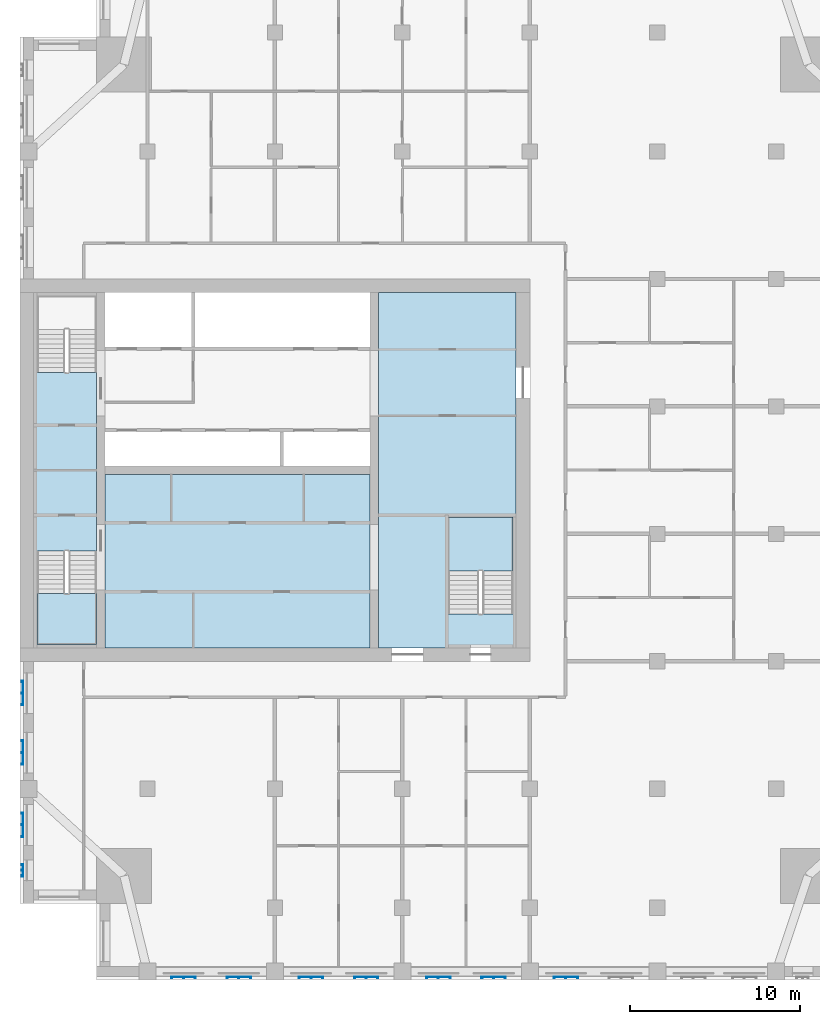
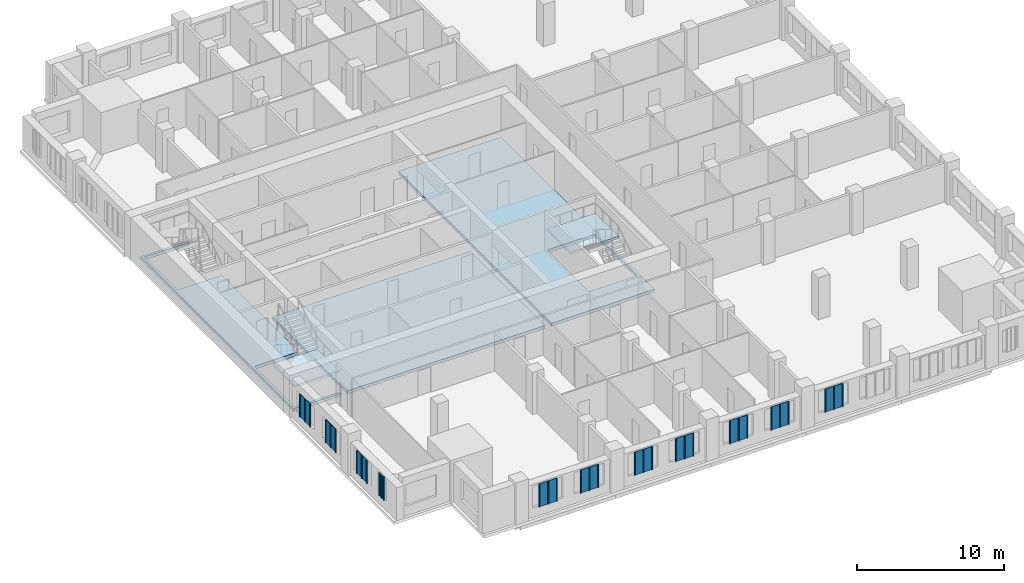
# One storey, part 2 of 14: 11 plates, 5 slabs, 2 elements without a shape of their own.
"""IFC4 building model written with IfcOpenShell, lengths in metres."""

from ifc_helpers import new_model, si_unit, direction, frame, origin, place, context, subcontext, project, spatial, polyline, outline, extrude, material, layer, layer_set, type_object, element, aggregate, save


model = new_model("IFC4")

# Units and contexts
model_context = context("Model", 3, precision=1e-05, world=origin(), true_north=direction((0.0, 1.0)))
body_context = subcontext(model_context, "Body", "Model", "MODEL_VIEW")
ifc_project = project(units=[si_unit("LENGTHUNIT", "METRE"), si_unit("AREAUNIT", "SQUARE_METRE"), si_unit("VOLUMEUNIT", "CUBIC_METRE"), si_unit("PLANEANGLEUNIT", "RADIAN"), si_unit("MASSUNIT", "GRAM", prefix="KILO")], contexts=[model_context])

# Site, building, storey
site_placement = place(None, origin())
site = spatial("IfcSite", under=ifc_project, at=site_placement, CompositionType="ELEMENT")
building_placement = place(site_placement, origin())
building = spatial("IfcBuilding", under=site, at=building_placement, Name="Tamorin Gate", CompositionType="ELEMENT")
storey_placement = place(building_placement, frame((0.0, 0.0, 189.699951171875)))
storey = spatial("IfcBuildingStorey", under=building, at=storey_placement, Name="L46", CompositionType="ELEMENT", Elevation=189.699951171875)

# Slabs
ifc_material_1 = material(Name="Concrete C40/50", Category="concrete")
ifc_layer_1 = layer(ifc_material_1, 0.25)
ifc_layer_set_1 = layer_set([ifc_layer_1], Name="Core floor slab 250 C40/50")
slab_type_1 = type_object("IfcSlabType", Name="Core floor slab 250 C40/50", PredefinedType="FLOOR", material=ifc_layer_set_1)
slab_1_placement = place(storey_placement, frame((0.0, 0.0, -0.25)))
element("IfcSlab", 1, at=slab_1_placement, inside=storey, type_object=slab_type_1, Name="Core floor L46", PredefinedType="FLOOR", context=body_context, shape_type="SweptSolid", body=[
    extrude(outline(polyline([(51.10009765625, 81.699951171875), (59.199951171875, 81.699951171875), (59.199951171875, 60.800048828125), (51.10009765625, 60.800048828125), (51.10009765625, 81.699951171875)]), holes=[polyline([(55.199951171875, 62.800048828125), (59.0, 62.800048828125), (59.0, 68.5), (55.199951171875, 68.5), (55.199951171875, 62.800048828125)])]), origin(), (0.0, 0.0, 1.0), 0.25),
])
slab_2_placement = place(storey_placement, frame((0.0, 0.0, -0.25)))
element("IfcSlab", 2, at=slab_2_placement, inside=storey, type_object=slab_type_1, Name="Core floor L46", PredefinedType="FLOOR", context=body_context, shape_type="SweptSolid", body=[
    extrude(outline(polyline([(50.60009765625, 71.0), (50.60009765625, 60.800048828125), (35.0, 60.800048828125), (35.0, 71.0), (50.60009765625, 71.0)])), origin(), (0.0, 0.0, 1.0), 0.25),
])
slab_3_placement = place(storey_placement, frame((0.0, 0.0, -0.25)))
element("IfcSlab", 3, at=slab_3_placement, inside=storey, type_object=slab_type_1, Name="Core floor L46", PredefinedType="FLOOR", context=body_context, shape_type="SweptSolid", body=[
    extrude(outline(polyline([(34.5, 60.800048828125), (30.800048828125, 60.800048828125), (30.800048828125, 81.699951171875), (34.5, 81.699951171875), (34.5, 81.5), (31.0, 81.5), (31.0, 77.0), (34.5, 77.0), (34.5, 66.5), (31.0, 66.5), (31.0, 61.0), (34.5, 61.0), (34.5, 60.800048828125)])), origin(), (0.0, 0.0, 1.0), 0.25),
])

# Stair, slab
stair_type = type_object("IfcStairType", Name="Exit stair", PredefinedType="HALF_TURN_STAIR", material=ifc_material_1)
stair_1_placement = place(storey_placement, origin())
stair_1 = element("IfcStair", 4, at=stair_1_placement, inside=storey, type_object=stair_type, Name="L46 stair ST1", PredefinedType="HALF_TURN_STAIR")
ifc_layer_2 = layer(ifc_material_1, 0.199951171875)
ifc_layer_set_2 = layer_set([ifc_layer_2], Name="Exit stair landing 200")
slab_type_2 = type_object("IfcSlabType", Name="Exit stair landing 200", PredefinedType="LANDING", material=ifc_layer_set_2)
slab_4_placement = place(storey_placement, frame((0.0, 0.0, 1.550048828125)))
slab_4 = element("IfcSlab", 5, at=slab_4_placement, type_object=slab_type_2, Name="ST1 landing 1", PredefinedType="LANDING", context=body_context, shape_type="SweptSolid", body=[
    extrude(outline(polyline([(31.0, 63.97998046875), (31.0, 61.0), (34.5, 61.0), (34.5, 63.97998046875), (31.0, 63.97998046875)])), origin(), (0.0, 0.0, 1.0), 0.199951171875),
])
aggregate(stair_1, [slab_4])

stair_2_placement = place(storey_placement, origin())
stair_2 = element("IfcStair", 6, at=stair_2_placement, inside=storey, type_object=stair_type, Name="L46 stair ST3", PredefinedType="HALF_TURN_STAIR")
slab_5_placement = place(storey_placement, frame((0.0, 0.0, 1.550048828125)))
slab_5 = element("IfcSlab", 7, at=slab_5_placement, type_object=slab_type_2, Name="ST3 landing 1", PredefinedType="LANDING", context=body_context, shape_type="SweptSolid", body=[
    extrude(outline(polyline([(59.0, 65.320068359375), (59.0, 68.5), (55.199951171875, 68.5), (55.199951171875, 65.320068359375), (59.0, 65.320068359375)])), origin(), (0.0, 0.0, 1.0), 0.199951171875),
])
aggregate(stair_2, [slab_5])

# Plates
ifc_material_2 = material(Name="Perforated pale aluminium sheet", Category="aluminium")
ifc_layer_3 = layer(ifc_material_2, 0.0400390625)
ifc_layer_set_3 = layer_set([ifc_layer_3], Name="Pale metal solar screen 1440")
plate_type_1 = type_object("IfcPlateType", Name="Pale metal solar screen 1440", PredefinedType="SHEET", material=ifc_layer_set_3)
plate_1_placement = place(storey_placement, frame((0.0, 0.0, 0.737548828125)))
element("IfcPlate", 8, at=plate_1_placement, inside=storey, type_object=plate_type_1, Name="Perforated solar screen", PredefinedType="SHEET", context=body_context, shape_type="SweptSolid", body=[
    extrude(outline(polyline([(38.905029296875, 41.409912109375), (38.905029296875, 41.449951171875), (38.965087890625, 41.449951171875), (39.594970703125, 41.449951171875), (39.655029296875, 41.449951171875), (40.284912109375, 41.449951171875), (40.344970703125, 41.449951171875), (40.344970703125, 41.449951171875), (40.344970703125, 41.409912109375), (40.344970703125, 41.409912109375), (40.344970703125, 41.35009765625), (40.284912109375, 41.35009765625), (40.284912109375, 41.409912109375), (39.655029296875, 41.409912109375), (39.655029296875, 41.35009765625), (39.594970703125, 41.35009765625), (39.594970703125, 41.409912109375), (38.965087890625, 41.409912109375), (38.965087890625, 41.35009765625), (38.905029296875, 41.35009765625), (38.905029296875, 41.409912109375)])), origin(), (0.0, 0.0, 1.0), 1.925048828125),
])
plate_2_placement = place(storey_placement, frame((0.0, 0.0, 0.737548828125)))
element("IfcPlate", 9, at=plate_2_placement, inside=storey, type_object=plate_type_1, Name="Perforated solar screen", PredefinedType="SHEET", context=body_context, shape_type="SweptSolid", body=[
    extrude(outline(polyline([(42.155029296875, 41.409912109375), (42.155029296875, 41.449951171875), (42.215087890625, 41.449951171875), (42.844970703125, 41.449951171875), (42.905029296875, 41.449951171875), (43.534912109375, 41.449951171875), (43.594970703125, 41.449951171875), (43.594970703125, 41.409912109375), (43.594970703125, 41.35009765625), (43.534912109375, 41.35009765625), (43.534912109375, 41.409912109375), (42.905029296875, 41.409912109375), (42.905029296875, 41.35009765625), (42.844970703125, 41.35009765625), (42.844970703125, 41.409912109375), (42.215087890625, 41.409912109375), (42.215087890625, 41.35009765625), (42.155029296875, 41.35009765625), (42.155029296875, 41.409912109375)])), origin(), (0.0, 0.0, 1.0), 1.925048828125),
])
plate_3_placement = place(storey_placement, frame((0.0, 0.0, 0.737548828125)))
element("IfcPlate", 10, at=plate_3_placement, inside=storey, type_object=plate_type_1, Name="Perforated solar screen", PredefinedType="SHEET", context=body_context, shape_type="SweptSolid", body=[
    extrude(outline(polyline([(46.405029296875, 41.409912109375), (46.405029296875, 41.449951171875), (46.465087890625, 41.449951171875), (47.094970703125, 41.449951171875), (47.155029296875, 41.449951171875), (47.784912109375, 41.449951171875), (47.844970703125, 41.449951171875), (47.844970703125, 41.409912109375), (47.844970703125, 41.35009765625), (47.784912109375, 41.35009765625), (47.784912109375, 41.409912109375), (47.155029296875, 41.409912109375), (47.155029296875, 41.35009765625), (47.094970703125, 41.35009765625), (47.094970703125, 41.409912109375), (46.465087890625, 41.409912109375), (46.465087890625, 41.35009765625), (46.405029296875, 41.35009765625), (46.405029296875, 41.409912109375)])), origin(), (0.0, 0.0, 1.0), 1.925048828125),
])
plate_4_placement = place(storey_placement, frame((0.0, 0.0, 0.737548828125)))
element("IfcPlate", 11, at=plate_4_placement, inside=storey, type_object=plate_type_1, Name="Perforated solar screen", PredefinedType="SHEET", context=body_context, shape_type="SweptSolid", body=[
    extrude(outline(polyline([(49.655029296875, 41.409912109375), (49.655029296875, 41.449951171875), (49.715087890625, 41.449951171875), (50.344970703125, 41.449951171875), (50.405029296875, 41.449951171875), (51.034912109375, 41.449951171875), (51.094970703125, 41.449951171875), (51.094970703125, 41.409912109375), (51.094970703125, 41.35009765625), (51.034912109375, 41.35009765625), (51.034912109375, 41.409912109375), (50.405029296875, 41.409912109375), (50.405029296875, 41.35009765625), (50.344970703125, 41.35009765625), (50.344970703125, 41.409912109375), (49.715087890625, 41.409912109375), (49.715087890625, 41.35009765625), (49.655029296875, 41.35009765625), (49.655029296875, 41.409912109375)])), origin(), (0.0, 0.0, 1.0), 1.925048828125),
])
plate_5_placement = place(storey_placement, frame((0.0, 0.0, 0.737548828125)))
element("IfcPlate", 12, at=plate_5_placement, inside=storey, type_object=plate_type_1, Name="Perforated solar screen", PredefinedType="SHEET", context=body_context, shape_type="SweptSolid", body=[
    extrude(outline(polyline([(53.905029296875, 41.409912109375), (53.905029296875, 41.449951171875), (53.965087890625, 41.449951171875), (54.594970703125, 41.449951171875), (54.655029296875, 41.449951171875), (55.284912109375, 41.449951171875), (55.344970703125, 41.449951171875), (55.344970703125, 41.409912109375), (55.344970703125, 41.35009765625), (55.284912109375, 41.35009765625), (55.284912109375, 41.409912109375), (54.655029296875, 41.409912109375), (54.655029296875, 41.35009765625), (54.594970703125, 41.35009765625), (54.594970703125, 41.409912109375), (53.965087890625, 41.409912109375), (53.965087890625, 41.35009765625), (53.905029296875, 41.35009765625), (53.905029296875, 41.409912109375)])), origin(), (0.0, 0.0, 1.0), 1.925048828125),
])
plate_6_placement = place(storey_placement, frame((0.0, 0.0, 0.737548828125)))
element("IfcPlate", 13, at=plate_6_placement, inside=storey, type_object=plate_type_1, Name="Perforated solar screen", PredefinedType="SHEET", context=body_context, shape_type="SweptSolid", body=[
    extrude(outline(polyline([(57.155029296875, 41.409912109375), (57.155029296875, 41.449951171875), (57.215087890625, 41.449951171875), (57.844970703125, 41.449951171875), (57.905029296875, 41.449951171875), (58.534912109375, 41.449951171875), (58.594970703125, 41.449951171875), (58.594970703125, 41.409912109375), (58.594970703125, 41.35009765625), (58.534912109375, 41.35009765625), (58.534912109375, 41.409912109375), (57.905029296875, 41.409912109375), (57.905029296875, 41.35009765625), (57.844970703125, 41.35009765625), (57.844970703125, 41.409912109375), (57.215087890625, 41.409912109375), (57.215087890625, 41.35009765625), (57.155029296875, 41.35009765625), (57.155029296875, 41.409912109375)])), origin(), (0.0, 0.0, 1.0), 1.925048828125),
])
plate_7_placement = place(storey_placement, frame((0.0, 0.0, 0.737548828125)))
element("IfcPlate", 14, at=plate_7_placement, inside=storey, type_object=plate_type_1, Name="Perforated solar screen", PredefinedType="SHEET", context=body_context, shape_type="SweptSolid", body=[
    extrude(outline(polyline([(61.405029296875, 41.409912109375), (61.405029296875, 41.449951171875), (61.465087890625, 41.449951171875), (62.094970703125, 41.449951171875), (62.155029296875, 41.449951171875), (62.784912109375, 41.449951171875), (62.844970703125, 41.449951171875), (62.844970703125, 41.409912109375), (62.844970703125, 41.35009765625), (62.784912109375, 41.35009765625), (62.784912109375, 41.409912109375), (62.155029296875, 41.409912109375), (62.155029296875, 41.35009765625), (62.094970703125, 41.35009765625), (62.094970703125, 41.409912109375), (61.465087890625, 41.409912109375), (61.465087890625, 41.35009765625), (61.405029296875, 41.35009765625), (61.405029296875, 41.409912109375)])), origin(), (0.0, 0.0, 1.0), 1.925048828125),
])
plate_8_placement = place(storey_placement, frame((0.0, 0.0, 0.737548828125)))
element("IfcPlate", 15, at=plate_8_placement, inside=storey, type_object=plate_type_1, Name="Perforated solar screen", PredefinedType="SHEET", context=body_context, shape_type="SweptSolid", body=[
    extrude(outline(polyline([(30.159912109375, 55.344970703125), (30.199951171875, 55.344970703125), (30.199951171875, 55.284912109375), (30.199951171875, 54.655029296875), (30.199951171875, 54.594970703125), (30.199951171875, 53.965087890625), (30.199951171875, 53.905029296875), (30.159912109375, 53.905029296875), (30.10009765625, 53.905029296875), (30.10009765625, 53.965087890625), (30.159912109375, 53.965087890625), (30.159912109375, 54.594970703125), (30.10009765625, 54.594970703125), (30.10009765625, 54.655029296875), (30.159912109375, 54.655029296875), (30.159912109375, 55.284912109375), (30.10009765625, 55.284912109375), (30.10009765625, 55.344970703125), (30.159912109375, 55.344970703125)])), origin(), (0.0, 0.0, 1.0), 1.925048828125),
])
plate_9_placement = place(storey_placement, frame((0.0, 0.0, 0.737548828125)))
element("IfcPlate", 16, at=plate_9_placement, inside=storey, type_object=plate_type_1, Name="Perforated solar screen", PredefinedType="SHEET", context=body_context, shape_type="SweptSolid", body=[
    extrude(outline(polyline([(30.159912109375, 58.844970703125), (30.199951171875, 58.844970703125), (30.199951171875, 58.784912109375), (30.199951171875, 58.155029296875), (30.199951171875, 58.094970703125), (30.199951171875, 57.465087890625), (30.199951171875, 57.405029296875), (30.159912109375, 57.405029296875), (30.10009765625, 57.405029296875), (30.10009765625, 57.465087890625), (30.159912109375, 57.465087890625), (30.159912109375, 58.094970703125), (30.10009765625, 58.094970703125), (30.10009765625, 58.155029296875), (30.159912109375, 58.155029296875), (30.159912109375, 58.784912109375), (30.10009765625, 58.784912109375), (30.10009765625, 58.844970703125), (30.159912109375, 58.844970703125)])), origin(), (0.0, 0.0, 1.0), 1.925048828125),
])
plate_10_placement = place(storey_placement, frame((0.0, 0.0, 0.737548828125)))
element("IfcPlate", 17, at=plate_10_placement, inside=storey, type_object=plate_type_1, Name="Perforated solar screen", PredefinedType="SHEET", context=body_context, shape_type="SweptSolid", body=[
    extrude(outline(polyline([(30.159912109375, 51.094970703125), (30.199951171875, 51.094970703125), (30.199951171875, 51.034912109375), (30.199951171875, 50.405029296875), (30.199951171875, 50.344970703125), (30.199951171875, 49.715087890625), (30.199951171875, 49.655029296875), (30.159912109375, 49.655029296875), (30.10009765625, 49.655029296875), (30.10009765625, 49.715087890625), (30.159912109375, 49.715087890625), (30.159912109375, 50.344970703125), (30.10009765625, 50.344970703125), (30.10009765625, 50.405029296875), (30.159912109375, 50.405029296875), (30.159912109375, 51.034912109375), (30.10009765625, 51.034912109375), (30.10009765625, 51.094970703125), (30.159912109375, 51.094970703125)])), origin(), (0.0, 0.0, 1.0), 1.925048828125),
])
ifc_layer_4 = layer(ifc_material_2, 0.0400390625)
ifc_layer_set_4 = layer_set([ifc_layer_4], Name="Pale metal solar screen 720")
plate_type_2 = type_object("IfcPlateType", Name="Pale metal solar screen 720", PredefinedType="SHEET", material=ifc_layer_set_4)
plate_11_placement = place(storey_placement, frame((0.0, 0.0, 0.737548828125)))
element("IfcPlate", 18, at=plate_11_placement, inside=storey, type_object=plate_type_2, Name="Perforated solar screen", PredefinedType="SHEET", context=body_context, shape_type="SweptSolid", body=[
    extrude(outline(polyline([(30.159912109375, 48.06005859375), (30.199951171875, 48.06005859375), (30.199951171875, 48.0), (30.199951171875, 47.72998046875), (30.199951171875, 47.669921875), (30.199951171875, 47.39990234375), (30.199951171875, 47.340087890625), (30.159912109375, 47.340087890625), (30.10009765625, 47.340087890625), (30.10009765625, 47.39990234375), (30.159912109375, 47.39990234375), (30.159912109375, 47.669921875), (30.10009765625, 47.669921875), (30.10009765625, 47.72998046875), (30.159912109375, 47.72998046875), (30.159912109375, 48.0), (30.10009765625, 48.0), (30.10009765625, 48.06005859375), (30.159912109375, 48.06005859375)])), origin(), (0.0, 0.0, 1.0), 1.925048828125),
])

save(model, "model.ifc")
